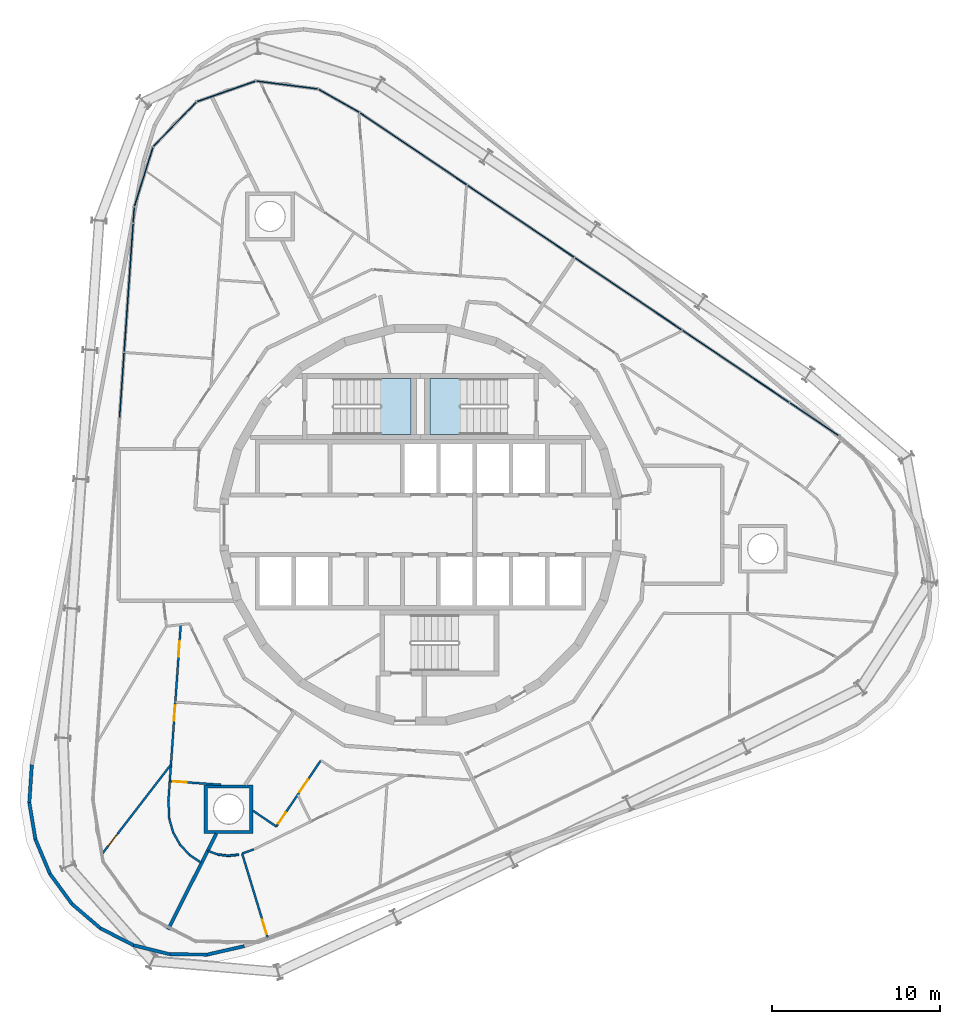
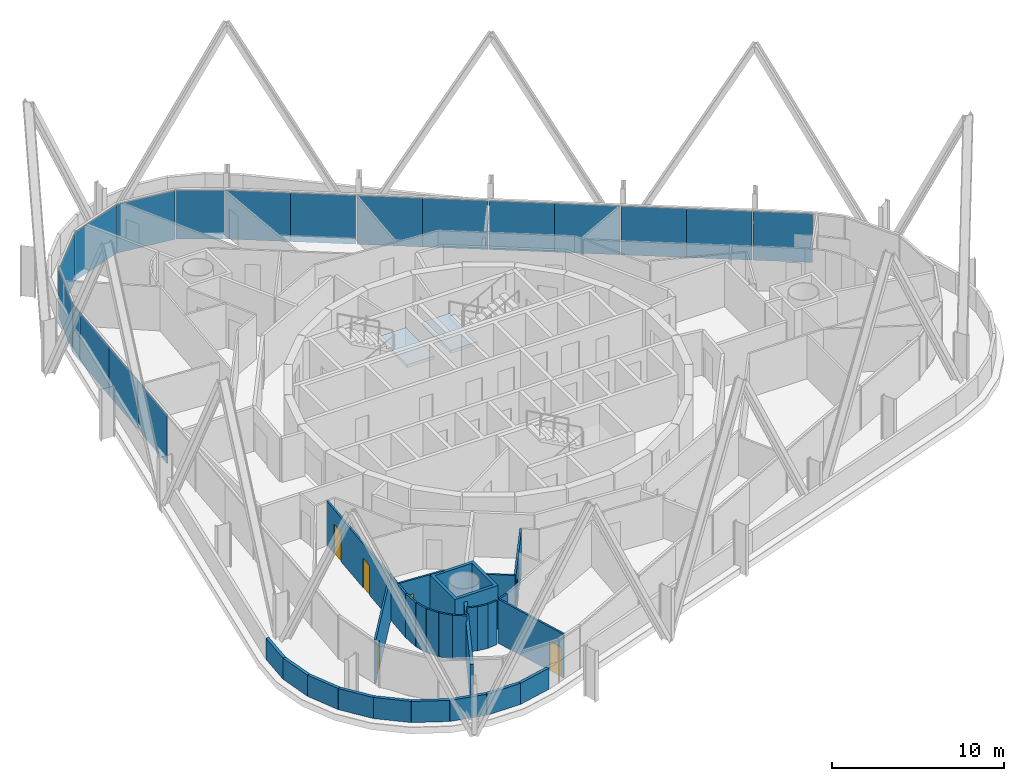
# One storey, part 11 of 18: 26 walls, 18 plates, 7 doors, 2 slabs, 7 openings, 6 elements without a shape of their own.
"""IFC4 building model written with IfcOpenShell, lengths in metres."""

from ifc_helpers import new_model, si_unit, direction, frame, frame_2d, origin, origin_2d, place, context, subcontext, project, spatial, polyline, rectangle, outline, extrude, material, layer, layer_set, type_object, element, fill, aggregate, save


model = new_model("IFC4")

# Units and contexts
model_context = context("Model", 3, precision=1e-05, world=origin(), true_north=direction((0.0, 1.0)))
body_context = subcontext(model_context, "Body", "Model", "MODEL_VIEW")
ifc_project = project(units=[si_unit("LENGTHUNIT", "METRE"), si_unit("AREAUNIT", "SQUARE_METRE"), si_unit("VOLUMEUNIT", "CUBIC_METRE"), si_unit("PLANEANGLEUNIT", "RADIAN"), si_unit("MASSUNIT", "GRAM", prefix="KILO")], contexts=[model_context])

# Site, building, storey
site_placement = place(None, origin())
site = spatial("IfcSite", under=ifc_project, at=site_placement, CompositionType="ELEMENT")
building_placement = place(site_placement, origin())
building = spatial("IfcBuilding", under=site, at=building_placement, Name="Spindle Arch Residences", CompositionType="ELEMENT")
storey_placement = place(building_placement, frame((0.0, 0.0, 188.39990234375)))
storey = spatial("IfcBuildingStorey", under=building, at=storey_placement, Name="L47", CompositionType="ELEMENT", Elevation=188.39990234375)

# Stair, slab
ifc_material_1 = material(Name="Concrete C50/60", Category="concrete")
stair_type = type_object("IfcStairType", Name="Exit stair 16 risers", PredefinedType="HALF_TURN_STAIR", material=ifc_material_1)
stair_1_placement = place(storey_placement, origin())
stair_1 = element("IfcStair", 1, at=stair_1_placement, inside=storey, type_object=stair_type, Name="L47 Exit stair ST1", PredefinedType="HALF_TURN_STAIR")
ifc_material_2 = material(Name="Concrete C50/60", Category="concrete")
ifc_layer_1 = layer(ifc_material_2, 0.219970703125)
ifc_layer_set_1 = layer_set([ifc_layer_1], Name="Exit stair landing 220")
slab_type = type_object("IfcSlabType", Name="Exit stair landing 220", PredefinedType="LANDING", material=ifc_layer_set_1)
slab_1_placement = place(storey_placement, frame((0.0, 0.0, 1.530029296875)))
slab_1 = element("IfcSlab", 2, at=slab_1_placement, type_object=slab_type, Name="ST1 landing 1", PredefinedType="LANDING", context=body_context, shape_type="SweptSolid", body=[
    extrude(outline(polyline([(2.3701171875, 8.669921875), (0.550048828125, 8.669921875), (0.550048828125, 5.35009765625), (2.3701171875, 5.35009765625), (2.3701171875, 8.669921875)])), origin(), (0.0, 0.0, 1.0), 0.219970703125),
])
aggregate(stair_1, [slab_1])

stair_2_placement = place(storey_placement, origin())
stair_2 = element("IfcStair", 3, at=stair_2_placement, inside=storey, type_object=stair_type, Name="L47 Exit stair ST2", PredefinedType="HALF_TURN_STAIR")
slab_2_placement = place(storey_placement, frame((0.0, 0.0, 1.530029296875)))
slab_2 = element("IfcSlab", 4, at=slab_2_placement, type_object=slab_type, Name="ST2 landing 1", PredefinedType="LANDING", context=body_context, shape_type="SweptSolid", body=[
    extrude(outline(polyline([(-2.3701171875, 5.35009765625), (-0.550048828125, 5.35009765625), (-0.550048828125, 8.669921875), (-2.3701171875, 8.669921875), (-2.3701171875, 5.35009765625)])), origin(), (0.0, 0.0, 1.0), 0.219970703125),
])
aggregate(stair_2, [slab_2])

# Curtain wall, plate
ifc_material_3 = material(Name="Aluminium bronze unitised frame with tinted glass", Category="aluminium")
ifc_layer_2 = layer(ifc_material_3, 0.159912109375)
ifc_layer_set_2 = layer_set([ifc_layer_2], Name="CW-D corner wall on the fillet arcs")
curtain_wall_type_1 = type_object("IfcCurtainWallType", Name="CW-D corner wall on the fillet arcs", PredefinedType="NOTDEFINED", material=ifc_layer_set_2)
curtain_wall_1_placement = place(storey_placement, origin())
curtain_wall_1 = element("IfcCurtainWall", 5, at=curtain_wall_1_placement, inside=storey, type_object=curtain_wall_type_1, Name="CW-D L47 run 1", PredefinedType="NOTDEFINED")
ifc_material_4 = material(Name="Tinted double glazing over aluminium faced non-combustible spandrel zone (K0)", Category="aluminium")
ifc_layer_3 = layer(ifc_material_4, 0.06005859375)
ifc_layer_set_3 = layer_set([ifc_layer_3], Name="Unitised glass panel with E 60 spandrel zone")
plate_type = type_object("IfcPlateType", Name="Unitised glass panel with E 60 spandrel zone", PredefinedType="CURTAIN_PANEL", material=ifc_layer_set_3)
plate_1_placement = place(storey_placement, frame((23.36767578125, 6.264892578125, -0.44970703125), z_axis=(0.0, 0.0, 1.0), x_axis=(-0.829037572555, 0.559192903471, 0.0)))
plate_1 = element("IfcPlate", 6, at=plate_1_placement, type_object=plate_type, Name="CW-D unit 06", PredefinedType="CURTAIN_PANEL", context=body_context, shape_type="SweptSolid", body=[
    extrude(rectangle(XDim=3.468505859375, YDim=0.06005859375, at=origin_2d()), origin(), (0.0, 0.0, 1.0), 3.449951171875),
])
aggregate(curtain_wall_1, [plate_1])

# Curtain wall, plates
ifc_material_5 = material(Name="Aluminium bronze unitised frame with tinted glass", Category="aluminium")
ifc_layer_4 = layer(ifc_material_5, 0.159912109375)
ifc_layer_set_4 = layer_set([ifc_layer_4], Name="CW-C typical residential unitised wall")
curtain_wall_type_2 = type_object("IfcCurtainWallType", Name="CW-C typical residential unitised wall", PredefinedType="NOTDEFINED", material=ifc_layer_set_4)
curtain_wall_2_placement = place(storey_placement, origin())
curtain_wall_2 = element("IfcCurtainWall", 7, at=curtain_wall_2_placement, inside=storey, type_object=curtain_wall_type_2, Name="CW-C L47 run 2", PredefinedType="NOTDEFINED")
plate_2_placement = place(storey_placement, frame((20.2978515625, 8.335205078125, -0.44970703125), z_axis=(0.0, 0.0, 1.0), x_axis=(-0.829037572555, 0.559192903471, 0.0)))
plate_2 = element("IfcPlate", 8, at=plate_2_placement, type_object=plate_type, Name="CW-C unit 05A", PredefinedType="CURTAIN_PANEL", context=body_context, shape_type="SweptSolid", body=[
    extrude(rectangle(XDim=3.81689453125, YDim=0.06005859375, at=origin_2d()), origin(), (0.0, 0.0, 1.0), 3.449951171875),
])
plate_3_placement = place(storey_placement, frame((17.133544921875, 10.4697265625, -0.44970703125), z_axis=(0.0, 0.0, 1.0), x_axis=(-0.829037572555, 0.559192903471, 0.0)))
plate_3 = element("IfcPlate", 9, at=plate_3_placement, type_object=plate_type, Name="CW-C unit 05B", PredefinedType="CURTAIN_PANEL", context=body_context, shape_type="SweptSolid", body=[
    extrude(rectangle(XDim=3.81689453125, YDim=0.06005859375, at=origin_2d()), origin(), (0.0, 0.0, 1.0), 3.449951171875),
])
plate_4_placement = place(storey_placement, frame((13.919677734375, 12.6376953125, -0.44970703125), z_axis=(0.0, 0.0, 1.0), x_axis=(-0.829037572555, 0.559192903471, 0.0)))
plate_4 = element("IfcPlate", 10, at=plate_4_placement, type_object=plate_type, Name="CW-C unit 06A", PredefinedType="CURTAIN_PANEL", context=body_context, shape_type="SweptSolid", body=[
    extrude(rectangle(XDim=3.81689453125, YDim=0.06005859375, at=origin_2d()), origin(), (0.0, 0.0, 1.0), 3.449951171875),
])
plate_5_placement = place(storey_placement, frame((10.75537109375, 14.77197265625, -0.44970703125), z_axis=(0.0, 0.0, 1.0), x_axis=(-0.829037572555, 0.559192903471, 0.0)))
plate_5 = element("IfcPlate", 11, at=plate_5_placement, type_object=plate_type, Name="CW-C unit 06B", PredefinedType="CURTAIN_PANEL", context=body_context, shape_type="SweptSolid", body=[
    extrude(rectangle(XDim=3.81689453125, YDim=0.06005859375, at=origin_2d()), origin(), (0.0, 0.0, 1.0), 3.449951171875),
])
plate_6_placement = place(storey_placement, frame((7.541259765625, 16.93994140625, -0.44970703125), z_axis=(0.0, 0.0, 1.0), x_axis=(-0.829037572555, 0.559192903471, 0.0)))
plate_6 = element("IfcPlate", 12, at=plate_6_placement, type_object=plate_type, Name="CW-C unit 07A", PredefinedType="CURTAIN_PANEL", context=body_context, shape_type="SweptSolid", body=[
    extrude(rectangle(XDim=3.81689453125, YDim=0.06005859375, at=origin_2d()), origin(), (0.0, 0.0, 1.0), 3.449951171875),
])
plate_7_placement = place(storey_placement, frame((4.376953125, 19.07421875, -0.44970703125), z_axis=(0.0, 0.0, 1.0), x_axis=(-0.829037572555, 0.559192903471, 0.0)))
plate_7 = element("IfcPlate", 13, at=plate_7_placement, type_object=plate_type, Name="CW-C unit 07B", PredefinedType="CURTAIN_PANEL", context=body_context, shape_type="SweptSolid", body=[
    extrude(rectangle(XDim=3.81689453125, YDim=0.06005859375, at=origin_2d()), origin(), (0.0, 0.0, 1.0), 3.449951171875),
])
plate_8_placement = place(storey_placement, frame((1.162841796875, 21.2421875, -0.44970703125), z_axis=(0.0, 0.0, 1.0), x_axis=(-0.829037572555, 0.559192903471, 0.0)))
plate_8 = element("IfcPlate", 14, at=plate_8_placement, type_object=plate_type, Name="CW-C unit 08A", PredefinedType="CURTAIN_PANEL", context=body_context, shape_type="SweptSolid", body=[
    extrude(rectangle(XDim=3.81689453125, YDim=0.06005859375, at=origin_2d()), origin(), (0.0, 0.0, 1.0), 3.449951171875),
])
plate_9_placement = place(storey_placement, frame((-2.00146484375, 23.37646484375, -0.44970703125), z_axis=(0.0, 0.0, 1.0), x_axis=(-0.829037572555, 0.559192903471, 0.0)))
plate_9 = element("IfcPlate", 15, at=plate_9_placement, type_object=plate_type, Name="CW-C unit 08B", PredefinedType="CURTAIN_PANEL", context=body_context, shape_type="SweptSolid", body=[
    extrude(rectangle(XDim=3.81689453125, YDim=0.06005859375, at=origin_2d()), origin(), (0.0, 0.0, 1.0), 3.449951171875),
])
aggregate(curtain_wall_2, [plate_2, plate_3, plate_4, plate_5, plate_6, plate_7, plate_8, plate_9])

curtain_wall_3_placement = place(storey_placement, origin())
curtain_wall_3 = element("IfcCurtainWall", 16, at=curtain_wall_3_placement, inside=storey, type_object=curtain_wall_type_1, Name="CW-D L47 run 3", PredefinedType="NOTDEFINED")
plate_10_placement = place(storey_placement, frame((-4.84130859375, 25.16064453125, -0.44970703125), z_axis=(0.0, 0.0, 1.0), x_axis=(-0.86953871595, 0.493864780547, 0.0)))
plate_10 = element("IfcPlate", 17, at=plate_10_placement, type_object=plate_type, Name="CW-D unit 00", PredefinedType="CURTAIN_PANEL", context=body_context, shape_type="SweptSolid", body=[
    extrude(rectangle(XDim=2.775634765625, YDim=0.06005859375, at=origin_2d()), origin(), (0.0, 0.0, 1.0), 3.449951171875),
])
plate_11_placement = place(storey_placement, frame((-7.92236328125, 26.0986328125, -0.44970703125), z_axis=(0.0, 0.0, 1.0), x_axis=(-0.991820351023, 0.127641651888, 0.0)))
plate_11 = element("IfcPlate", 18, at=plate_11_placement, type_object=plate_type, Name="CW-D unit 01", PredefinedType="CURTAIN_PANEL", context=body_context, shape_type="SweptSolid", body=[
    extrude(rectangle(XDim=3.666748046875, YDim=0.06005859375, at=origin_2d()), origin(), (0.0, 0.0, 1.0), 3.449951171875),
])
plate_12_placement = place(storey_placement, frame((-11.52880859375, 25.7197265625, -0.44970703125), z_axis=(0.0, 0.0, 1.0), x_axis=(-0.943608508302, -0.331063412445, 0.0)))
plate_12 = element("IfcPlate", 19, at=plate_12_placement, type_object=plate_type, Name="CW-D unit 02", PredefinedType="CURTAIN_PANEL", context=body_context, shape_type="SweptSolid", body=[
    extrude(rectangle(XDim=3.666748046875, YDim=0.06005859375, at=origin_2d()), origin(), (0.0, 0.0, 1.0), 3.449951171875),
])
plate_13_placement = place(storey_placement, frame((-14.58154296875, 23.762451171875, -0.44970703125), z_axis=(0.0, 0.0, 1.0), x_axis=(-0.694658368802, -0.719339801939, 0.0)))
plate_13 = element("IfcPlate", 20, at=plate_13_placement, type_object=plate_type, Name="CW-D unit 03", PredefinedType="CURTAIN_PANEL", context=body_context, shape_type="SweptSolid", body=[
    extrude(rectangle(XDim=3.666748046875, YDim=0.06005859375, at=origin_2d()), origin(), (0.0, 0.0, 1.0), 3.449951171875),
])
plate_14_placement = place(storey_placement, frame((-16.43115234375, 20.643310546875, -0.44970703125), z_axis=(0.0, 0.0, 1.0), x_axis=(-0.297930275218, -0.954587634064, 0.0)))
plate_14 = element("IfcPlate", 21, at=plate_14_placement, type_object=plate_type, Name="CW-D unit 04", PredefinedType="CURTAIN_PANEL", context=body_context, shape_type="SweptSolid", body=[
    extrude(rectangle(XDim=3.666748046875, YDim=0.06005859375, at=origin_2d()), origin(), (0.0, 0.0, 1.0), 3.449951171875),
])
plate_15_placement = place(storey_placement, frame((-17.019775390625, 18.3837890625, -0.44970703125), z_axis=(0.0, 0.0, 1.0), x_axis=(-0.069756473744, -0.99756405026, 0.0)))
plate_15 = element("IfcPlate", 22, at=plate_15_placement, type_object=plate_type, Name="CW-D unit 05", PredefinedType="CURTAIN_PANEL", context=body_context, shape_type="SweptSolid", body=[
    extrude(rectangle(XDim=0.90380859375, YDim=0.06005859375, at=origin_2d()), origin(), (0.0, 0.0, 1.0), 3.449951171875),
])
aggregate(curtain_wall_3, [plate_10, plate_11, plate_12, plate_13, plate_14, plate_15])

curtain_wall_4_placement = place(storey_placement, origin())
curtain_wall_4 = element("IfcCurtainWall", 23, at=curtain_wall_4_placement, inside=storey, type_object=curtain_wall_type_2, Name="CW-C L47 run 4", PredefinedType="NOTDEFINED")
plate_16_placement = place(storey_placement, frame((-17.188720703125, 15.96923828125, -0.44970703125), z_axis=(0.0, 0.0, 1.0), x_axis=(-0.069756473744, -0.99756405026, 0.0)))
plate_16 = element("IfcPlate", 24, at=plate_16_placement, type_object=plate_type, Name="CW-C unit 12A", PredefinedType="CURTAIN_PANEL", context=body_context, shape_type="SweptSolid", body=[
    extrude(rectangle(XDim=3.81689453125, YDim=0.06005859375, at=origin_2d()), origin(), (0.0, 0.0, 1.0), 3.449951171875),
])
plate_17_placement = place(storey_placement, frame((-17.454833984375, 12.16162109375, -0.44970703125), z_axis=(0.0, 0.0, 1.0), x_axis=(-0.069756473744, -0.99756405026, 0.0)))
plate_17 = element("IfcPlate", 25, at=plate_17_placement, type_object=plate_type, Name="CW-C unit 12B", PredefinedType="CURTAIN_PANEL", context=body_context, shape_type="SweptSolid", body=[
    extrude(rectangle(XDim=3.81689453125, YDim=0.06005859375, at=origin_2d()), origin(), (0.0, 0.0, 1.0), 3.449951171875),
])
plate_18_placement = place(storey_placement, frame((-17.725341796875, 8.294189453125, -0.44970703125), z_axis=(0.0, 0.0, 1.0), x_axis=(-0.069756473744, -0.99756405026, 0.0)))
plate_18 = element("IfcPlate", 26, at=plate_18_placement, type_object=plate_type, Name="CW-C unit 13A", PredefinedType="CURTAIN_PANEL", context=body_context, shape_type="SweptSolid", body=[
    extrude(rectangle(XDim=3.81689453125, YDim=0.06005859375, at=origin_2d()), origin(), (0.0, 0.0, 1.0), 3.449951171875),
])
aggregate(curtain_wall_4, [plate_16, plate_17, plate_18])

# Wall, openings, doors
ifc_material_6 = material(Name="Plasterboard on steel studs", Category="steel")
ifc_layer_5 = layer(ifc_material_6, 0.1201171875)
ifc_layer_set_5 = layer_set([ifc_layer_5], Name="Flat partition 120")
wall_type_1 = type_object("IfcWallType", Name="Flat partition 120", PredefinedType="PARTITIONING", material=ifc_layer_set_5)
wall_1_placement = place(storey_placement, frame((-14.22900390625, -5.9287109375, 0.0), z_axis=(0.0, 0.0, 1.0), x_axis=(-0.069740723375, -0.997565151508, 0.0)))
wall_1 = element("IfcWall", 27, at=wall_1_placement, inside=storey, type_object=wall_type_1, Name="Flat partition R5A0-W077", PredefinedType="PARTITIONING", context=body_context, shape_type="SweptSolid", body=[
    extrude(rectangle(XDim=10.470458984375, YDim=0.1201171875, at=frame_2d((5.2353515625, 0.0))), origin(), (0.0, 0.0, 1.0), 3.1201171875),
])
opening_1_placement = place(wall_1_placement, frame((4.809326171875, 0.0, 0.0)))
opening_1 = element("IfcOpeningElement", 28, at=opening_1_placement, cuts=wall_1, Name="Opening R5A0-ID17", PredefinedType="OPENING", context=body_context, shape_type="SweptSolid", body=[
    extrude(rectangle(XDim=0.89990234375, YDim=2.10009765625, at=frame_2d((0.449951171875, 1.050048828125))), frame((0.0, 0.070068359375, 0.0), z_axis=(0.0, -1.0, 0.0), x_axis=(1.0, 0.0, 0.0)), (0.0, 0.0, 1.0), 0.14013671875),
])
opening_2_placement = place(wall_1_placement, frame((1.0, 0.0, 0.0)))
opening_2 = element("IfcOpeningElement", 29, at=opening_2_placement, cuts=wall_1, Name="Opening R5A0-ID19", PredefinedType="OPENING", context=body_context, shape_type="SweptSolid", body=[
    extrude(rectangle(XDim=0.89990234375, YDim=2.10009765625, at=frame_2d((0.449951171875, 1.050048828125))), frame((0.0, 0.070068359375, 0.0), z_axis=(0.0, -1.0, 0.0), x_axis=(1.0, 0.0, 0.0)), (0.0, 0.0, 1.0), 0.14013671875),
])
ifc_material_7 = material(Name="Timber door set", Category="wood")
door_type_1 = type_object("IfcDoorType", Name="Room door 900x2100", OperationType="NOTDEFINED", PredefinedType="DOOR", material=ifc_material_7)
door_1_placement = place(opening_1_placement, origin())
door_1 = element("IfcDoor", 30, at=door_1_placement, inside=storey, type_object=door_type_1, Name="Room door R5A0-ID17", OperationType="SINGLE_SWING_RIGHT", OverallHeight=2.10009765625, OverallWidth=0.89990234375, PredefinedType="DOOR", context=body_context, shape_type="SweptSolid", body=[
    extrude(rectangle(XDim=0.89990234375, YDim=2.10009765625, at=frame_2d((0.449951171875, 1.050048828125))), frame((0.0, 0.02490234375, 0.0), z_axis=(0.0, -1.0, 0.0), x_axis=(1.0, 0.0, 0.0)), (0.0, 0.0, 1.0), 0.050048828125),
])
fill(opening_1, door_1)
door_2_placement = place(opening_2_placement, origin())
door_2 = element("IfcDoor", 31, at=door_2_placement, inside=storey, type_object=door_type_1, Name="Room door R5A0-ID19", OperationType="SINGLE_SWING_LEFT", OverallHeight=2.10009765625, OverallWidth=0.89990234375, PredefinedType="DOOR", context=body_context, shape_type="SweptSolid", body=[
    extrude(rectangle(XDim=0.89990234375, YDim=2.10009765625, at=frame_2d((0.449951171875, 1.050048828125))), frame((0.0, 0.02490234375, 0.0), z_axis=(0.0, -1.0, 0.0), x_axis=(1.0, 0.0, 0.0)), (0.0, 0.0, 1.0), 0.050048828125),
])
fill(opening_2, door_2)

# Wall, opening, door
wall_2_placement = place(storey_placement, frame((-18.892333984375, -19.530517578125, 0.0), z_axis=(0.0, 0.0, 1.0), x_axis=(0.610326128317, 0.792150249065, 0.0)))
wall_2 = element("IfcWall", 32, at=wall_2_placement, inside=storey, type_object=wall_type_1, Name="Flat partition R5A0-W079", PredefinedType="PARTITIONING", context=body_context, shape_type="SweptSolid", body=[
    extrude(rectangle(XDim=6.689453125, YDim=0.1201171875, at=frame_2d((3.3447265625, 0.0))), origin(), (0.0, 0.0, 1.0), 3.1201171875),
])
opening_3_placement = place(wall_2_placement, frame((0.60009765625, 0.0, 0.0)))
opening_3 = element("IfcOpeningElement", 33, at=opening_3_placement, cuts=wall_2, Name="Opening R5A0-ID18", PredefinedType="OPENING", context=body_context, shape_type="SweptSolid", body=[
    extrude(rectangle(XDim=0.89990234375, YDim=2.10009765625, at=frame_2d((0.449951171875, 1.050048828125))), frame((0.0, 0.070068359375, 0.0), z_axis=(0.0, -1.0, 0.0), x_axis=(1.0, 0.0, 0.0)), (0.0, 0.0, 1.0), 0.14013671875),
])
door_3_placement = place(opening_3_placement, origin())
door_3 = element("IfcDoor", 34, at=door_3_placement, inside=storey, type_object=door_type_1, Name="Room door R5A0-ID18", OperationType="SINGLE_SWING_RIGHT", OverallHeight=2.10009765625, OverallWidth=0.89990234375, PredefinedType="DOOR", context=body_context, shape_type="SweptSolid", body=[
    extrude(rectangle(XDim=0.89990234375, YDim=2.10009765625, at=frame_2d((0.449951171875, 1.050048828125))), frame((0.0, 0.02490234375, 0.0), z_axis=(0.0, -1.0, 0.0), x_axis=(1.0, 0.0, 0.0)), (0.0, 0.0, 1.0), 0.050048828125),
])
fill(opening_3, door_3)

wall_3_placement = place(storey_placement, frame((-14.878662109375, -15.218505859375, 0.0), z_axis=(0.0, 0.0, 1.0), x_axis=(0.997566012813, -0.069728402248, 0.0)))
wall_3 = element("IfcWall", 35, at=wall_3_placement, inside=storey, type_object=wall_type_1, Name="Flat partition R5A0-W080", PredefinedType="PARTITIONING", context=body_context, shape_type="SweptSolid", body=[
    extrude(rectangle(XDim=3.0390625, YDim=0.1201171875, at=frame_2d((1.51953125, 0.0))), origin(), (0.0, 0.0, 1.0), 3.1201171875),
])
opening_4_placement = place(wall_3_placement, frame((0.199951171875, 0.0, 0.0)))
opening_4 = element("IfcOpeningElement", 36, at=opening_4_placement, cuts=wall_3, Name="Opening R5A0-BD04", PredefinedType="OPENING", context=body_context, shape_type="SweptSolid", body=[
    extrude(rectangle(XDim=0.800048828125, YDim=2.10009765625, at=frame_2d((0.39990234375, 1.050048828125))), frame((0.0, 0.070068359375, 0.0), z_axis=(0.0, -1.0, 0.0), x_axis=(1.0, 0.0, 0.0)), (0.0, 0.0, 1.0), 0.14013671875),
])
ifc_material_8 = material(Name="Timber door set", Category="wood")
door_type_2 = type_object("IfcDoorType", Name="Bathroom door 800x2100", OperationType="NOTDEFINED", PredefinedType="DOOR", material=ifc_material_8)
door_4_placement = place(opening_4_placement, origin())
door_4 = element("IfcDoor", 37, at=door_4_placement, inside=storey, type_object=door_type_2, Name="Bathroom door R5A0-BD04", OperationType="SINGLE_SWING_RIGHT", OverallHeight=2.10009765625, OverallWidth=0.800048828125, PredefinedType="DOOR", context=body_context, shape_type="SweptSolid", body=[
    extrude(rectangle(XDim=0.800048828125, YDim=2.10009765625, at=frame_2d((0.39990234375, 1.050048828125))), frame((0.0, 0.02490234375, 0.0), z_axis=(0.0, -1.0, 0.0), x_axis=(1.0, 0.0, 0.0)), (0.0, 0.0, 1.0), 0.050048828125),
])
fill(opening_4, door_4)

# Walls
for number, where, z_axis, x_axis, name in (
    (38, (-13.025390625, -20.052001953125, 0.0), (0.0, 0.0, 1.0), (-0.828910137223, 0.559381787699, 0.0), "Flat partition R5A0-W081"),
    (39, (-13.71240234375, -19.58837890625, 0.0), (0.0, 0.0, 1.0), (-0.677802814739, 0.735243731243, 0.0), "Flat partition R5A0-W082"),
):
    element("IfcWall", number, at=place(storey_placement, frame(where, z_axis=z_axis, x_axis=x_axis)), inside=storey, type_object=wall_type_1, Name=name, PredefinedType="PARTITIONING", context=body_context, shape_type="SweptSolid", body=[
        extrude(rectangle(XDim=0.828857421875, YDim=0.1201171875, at=frame_2d((0.41455078125, 0.0))), origin(), (0.0, 0.0, 1.0), 3.1201171875),
    ])
wall_4_placement = place(storey_placement, frame((-14.274169921875, -18.97900390625, 0.0), z_axis=(0.0, 0.0, 1.0), x_axis=(-0.490037513137, 0.871701345484, 0.0)))
element("IfcWall", 40, at=wall_4_placement, inside=storey, type_object=wall_type_1, Name="Flat partition R5A0-W083", PredefinedType="PARTITIONING", context=body_context, shape_type="SweptSolid", body=[
    extrude(rectangle(XDim=0.8291015625, YDim=0.1201171875, at=frame_2d((0.41455078125, 0.0))), origin(), (0.0, 0.0, 1.0), 3.1201171875),
])
wall_5_placement = place(storey_placement, frame((-14.680419921875, -18.25634765625, 0.0), z_axis=(0.0, 0.0, 1.0), x_axis=(-0.275382358468, 0.961334778651, 0.0)))
element("IfcWall", 41, at=wall_5_placement, inside=storey, type_object=wall_type_1, Name="Flat partition R5A0-W084", PredefinedType="PARTITIONING", context=body_context, shape_type="SweptSolid", body=[
    extrude(rectangle(XDim=0.828857421875, YDim=0.1201171875, at=frame_2d((0.41455078125, 0.0))), origin(), (0.0, 0.0, 1.0), 3.1201171875),
])
wall_6_placement = place(storey_placement, frame((-14.90869140625, -17.45947265625, 0.0), z_axis=(0.0, 0.0, 1.0), x_axis=(-0.046497887649, 0.99891838828, 0.0)))
element("IfcWall", 42, at=wall_6_placement, inside=storey, type_object=wall_type_1, Name="Flat partition R5A0-W085", PredefinedType="PARTITIONING", context=body_context, shape_type="SweptSolid", body=[
    extrude(rectangle(XDim=1.0869140625, YDim=0.1201171875, at=frame_2d((0.54345703125, 0.0))), origin(), (0.0, 0.0, 1.0), 3.1201171875),
])
wall_7_placement = place(storey_placement, frame((-9.93603515625, -16.976318359375, 0.0), z_axis=(0.0, 0.0, 1.0), x_axis=(0.829057888835, -0.559162782167, 0.0)))
element("IfcWall", 43, at=wall_7_placement, inside=storey, type_object=wall_type_1, Name="Flat partition R5A0-W086", PredefinedType="PARTITIONING", context=body_context, shape_type="SweptSolid", body=[
    extrude(rectangle(XDim=1.66357421875, YDim=0.1201171875, at=frame_2d((0.831787109375, 0.0))), origin(), (0.0, 0.0, 1.0), 3.1201171875),
])

# Wall, openings, doors
wall_8_placement = place(storey_placement, frame((-8.556884765625, -17.906494140625, 0.0), z_axis=(0.0, 0.0, 1.0), x_axis=(0.559194471553, 0.829036514868, 0.0)))
wall_8 = element("IfcWall", 44, at=wall_8_placement, inside=storey, type_object=wall_type_1, Name="Flat partition R5A0-W087", PredefinedType="PARTITIONING", context=body_context, shape_type="SweptSolid", body=[
    extrude(rectangle(XDim=4.72998046875, YDim=0.1201171875, at=frame_2d((2.364990234375, 0.0))), origin(), (0.0, 0.0, 1.0), 3.1201171875),
])
opening_5_placement = place(wall_8_placement, frame((0.199951171875, 0.0, 0.0)))
opening_5 = element("IfcOpeningElement", 45, at=opening_5_placement, cuts=wall_8, Name="Opening R5A0-BD05", PredefinedType="OPENING", context=body_context, shape_type="SweptSolid", body=[
    extrude(rectangle(XDim=0.800048828125, YDim=2.10009765625, at=frame_2d((0.39990234375, 1.050048828125))), frame((0.0, 0.070068359375, 0.0), z_axis=(0.0, -1.0, 0.0), x_axis=(1.0, 0.0, 0.0)), (0.0, 0.0, 1.0), 0.14013671875),
])
opening_6_placement = place(wall_8_placement, frame((2.47119140625, 0.0, 0.0)))
opening_6 = element("IfcOpeningElement", 46, at=opening_6_placement, cuts=wall_8, Name="Opening R5A0-ID20", PredefinedType="OPENING", context=body_context, shape_type="SweptSolid", body=[
    extrude(rectangle(XDim=0.89990234375, YDim=2.10009765625, at=frame_2d((0.449951171875, 1.050048828125))), frame((0.0, 0.070068359375, 0.0), z_axis=(0.0, -1.0, 0.0), x_axis=(1.0, 0.0, 0.0)), (0.0, 0.0, 1.0), 0.14013671875),
])
door_5_placement = place(opening_5_placement, origin())
door_5 = element("IfcDoor", 47, at=door_5_placement, inside=storey, type_object=door_type_2, Name="Bathroom door R5A0-BD05", OperationType="SINGLE_SWING_LEFT", OverallHeight=2.10009765625, OverallWidth=0.800048828125, PredefinedType="DOOR", context=body_context, shape_type="SweptSolid", body=[
    extrude(rectangle(XDim=0.800048828125, YDim=2.10009765625, at=frame_2d((0.39990234375, 1.050048828125))), frame((0.0, 0.02490234375, 0.0), z_axis=(0.0, -1.0, 0.0), x_axis=(1.0, 0.0, 0.0)), (0.0, 0.0, 1.0), 0.050048828125),
])
fill(opening_5, door_5)
door_6_placement = place(opening_6_placement, origin())
door_6 = element("IfcDoor", 48, at=door_6_placement, inside=storey, type_object=door_type_1, Name="Room door R5A0-ID20", OperationType="SINGLE_SWING_LEFT", OverallHeight=2.10009765625, OverallWidth=0.89990234375, PredefinedType="DOOR", context=body_context, shape_type="SweptSolid", body=[
    extrude(rectangle(XDim=0.89990234375, YDim=2.10009765625, at=frame_2d((0.449951171875, 1.050048828125))), frame((0.0, 0.02490234375, 0.0), z_axis=(0.0, -1.0, 0.0), x_axis=(1.0, 0.0, 0.0)), (0.0, 0.0, 1.0), 0.050048828125),
])
fill(opening_6, door_6)

# Walls
wall_9_placement = place(storey_placement, frame((-10.77978515625, -19.577880859375, 0.0), z_axis=(0.0, 0.0, 1.0), x_axis=(-0.994515867502, -0.104585798686, 0.0)))
element("IfcWall", 49, at=wall_9_placement, inside=storey, type_object=wall_type_1, Name="Flat partition R5A0-W090", PredefinedType="PARTITIONING", context=body_context, shape_type="SweptSolid", body=[
    extrude(rectangle(XDim=0.641845703125, YDim=0.1201171875, at=frame_2d((0.32080078125, 0.0))), origin(), (0.0, 0.0, 1.0), 3.1201171875),
])
wall_10_placement = place(storey_placement, frame((-11.418212890625, -19.64501953125, 0.0), z_axis=(0.0, 0.0, 1.0), x_axis=(-0.991802759529, 0.127778269633, 0.0)))
element("IfcWall", 50, at=wall_10_placement, inside=storey, type_object=wall_type_1, Name="Flat partition R5A0-W091", PredefinedType="PARTITIONING", context=body_context, shape_type="SweptSolid", body=[
    extrude(rectangle(XDim=0.64208984375, YDim=0.1201171875, at=frame_2d((0.321044921875, 0.0))), origin(), (0.0, 0.0, 1.0), 3.1201171875),
])
wall_11_placement = place(storey_placement, frame((-12.054931640625, -19.56298828125, 0.0), z_axis=(0.0, 0.0, 1.0), x_axis=(-0.935507243946, 0.353307509862, 0.0)))
element("IfcWall", 51, at=wall_11_placement, inside=storey, type_object=wall_type_1, Name="Flat partition R5A0-W092", PredefinedType="PARTITIONING", context=body_context, shape_type="SweptSolid", body=[
    extrude(rectangle(XDim=0.6123046875, YDim=0.1201171875, at=frame_2d((0.30615234375, 0.0))), origin(), (0.0, 0.0, 1.0), 3.1201171875),
])

# Wall, opening, door
wall_12_placement = place(storey_placement, frame((-9.071533203125, -24.4892578125, 0.0), z_axis=(0.0, 0.0, 1.0), x_axis=(-0.291025348593, 0.956715342449, 0.0)))
wall_12 = element("IfcWall", 52, at=wall_12_placement, inside=storey, type_object=wall_type_1, Name="Flat partition R5A0-W093", PredefinedType="PARTITIONING", context=body_context, shape_type="SweptSolid", body=[
    extrude(rectangle(XDim=5.20458984375, YDim=0.1201171875, at=frame_2d((2.602294921875, 0.0))), origin(), (0.0, 0.0, 1.0), 3.1201171875),
])
opening_7_placement = place(wall_12_placement, frame((0.199951171875, 0.0, 0.0)))
opening_7 = element("IfcOpeningElement", 53, at=opening_7_placement, cuts=wall_12, Name="Opening R5A0-ID23", PredefinedType="OPENING", context=body_context, shape_type="SweptSolid", body=[
    extrude(rectangle(XDim=0.89990234375, YDim=2.10009765625, at=frame_2d((0.449951171875, 1.050048828125))), frame((0.0, 0.070068359375, 0.0), z_axis=(0.0, -1.0, 0.0), x_axis=(1.0, 0.0, 0.0)), (0.0, 0.0, 1.0), 0.14013671875),
])
door_7_placement = place(opening_7_placement, origin())
door_7 = element("IfcDoor", 54, at=door_7_placement, inside=storey, type_object=door_type_1, Name="Room door R5A0-ID23", OperationType="SINGLE_SWING_LEFT", OverallHeight=2.10009765625, OverallWidth=0.89990234375, PredefinedType="DOOR", context=body_context, shape_type="SweptSolid", body=[
    extrude(rectangle(XDim=0.89990234375, YDim=2.10009765625, at=frame_2d((0.449951171875, 1.050048828125))), frame((0.0, 0.02490234375, 0.0), z_axis=(0.0, -1.0, 0.0), x_axis=(1.0, 0.0, 0.0)), (0.0, 0.0, 1.0), 0.050048828125),
])
fill(opening_7, door_7)

# Walls
wall_13_placement = place(storey_placement, frame((-10.586181640625, -19.510009765625, 0.0), z_axis=(0.0, 0.0, 1.0), x_axis=(0.943560277016, 0.3312008509, 0.0)))
element("IfcWall", 55, at=wall_13_placement, inside=storey, type_object=wall_type_1, Name="Flat partition R5A0-W095", PredefinedType="PARTITIONING", context=body_context, shape_type="SweptSolid", body=[
    extrude(rectangle(XDim=0.741455078125, YDim=0.1201171875, at=frame_2d((0.37060546875, 0.0))), origin(), (0.0, 0.0, 1.0), 3.1201171875),
])
ifc_material_9 = material(Name="Calcium silicate block, plastered")
ifc_layer_6 = layer(ifc_material_9, 0.199951171875)
ifc_layer_set_6 = layer_set([ifc_layer_6], Name="Flat party wall 200 under beam 2730")
wall_type_2 = type_object("IfcWallType", Name="Flat party wall 200 under beam 2730", PredefinedType="STANDARD", material=ifc_layer_set_6)
wall_14_placement = place(storey_placement, frame((-14.9794921875, -24.017333984375, 0.0), z_axis=(0.0, 0.0, 1.0), x_axis=(0.449711952388, 0.893173644864, 0.0)))
element("IfcWall", 56, at=wall_14_placement, inside=storey, type_object=wall_type_2, Name="Flat party wall R5A0-W034", PredefinedType="STANDARD", context=body_context, shape_type="SweptSolid", body=[
    extrude(rectangle(XDim=6.366943359375, YDim=0.199951171875, at=frame_2d((3.18359375, 0.0))), origin(), (0.0, 0.0, 1.0), 2.72998046875),
])
ifc_material_10 = material(Name="Calcium silicate block, plastered")
ifc_layer_7 = layer(ifc_material_10, 0.199951171875)
ifc_layer_set_7 = layer_set([ifc_layer_7], Name="Mega-column casing wall 200")
wall_type_3 = type_object("IfcWallType", Name="Mega-column casing wall 200", PredefinedType="STANDARD", material=ifc_layer_set_7)
wall_15_placement = place(storey_placement, origin())
element("IfcWall", 57, at=wall_15_placement, inside=storey, type_object=wall_type_3, Name="Mega-column casing wall R5A0-WC02", PredefinedType="STANDARD", context=body_context, shape_type="SweptSolid", body=[
    extrude(outline(polyline([(-9.93603515625, -15.430419921875), (-9.93603515625, -18.33056640625), (-12.8359375, -18.33056640625), (-12.8359375, -15.430419921875), (-9.93603515625, -15.430419921875)]), holes=[polyline([(-12.635986328125, -18.130615234375), (-10.135986328125, -18.130615234375), (-10.135986328125, -15.630615234375), (-12.635986328125, -15.630615234375), (-12.635986328125, -18.130615234375)])]), origin(), (0.0, 0.0, 1.0), 3.1201171875),
])
ifc_material_11 = material(Name="Concrete C40/50", Category="concrete")
ifc_layer_8 = layer(ifc_material_11, 0.199951171875)
ifc_layer_set_8 = layer_set([ifc_layer_8], Name="Roof parapet 1500")
wall_type_4 = type_object("IfcWallType", Name="Roof parapet 1500", PredefinedType="PARAPET", material=ifc_layer_set_8)
wall_16_placement = place(storey_placement, frame((-10.460205078125, -25.009521484375, 0.030029296875), z_axis=(0.0, 0.0, 1.0), x_axis=(-0.97501799573, -0.222125883233, 0.0)))
element("IfcWall", 58, at=wall_16_placement, inside=storey, type_object=wall_type_4, Name="Roof parapet L46 1.2", PredefinedType="PARAPET", context=body_context, shape_type="SweptSolid", body=[
    extrude(rectangle(XDim=2.257568359375, YDim=0.199951171875, at=frame_2d((1.12890625, 0.0))), origin(), (0.0, 0.0, 1.0), 1.5),
])
wall_17_placement = place(storey_placement, frame((-12.64990234375, -25.509765625, 0.030029296875), z_axis=(0.0, 0.0, 1.0), x_axis=(-0.999961579411, 0.008765825811, 0.0)))
element("IfcWall", 59, at=wall_17_placement, inside=storey, type_object=wall_type_4, Name="Roof parapet L46 1.3", PredefinedType="PARAPET", context=body_context, shape_type="SweptSolid", body=[
    extrude(rectangle(XDim=2.22802734375, YDim=0.199951171875, at=frame_2d((1.114013671875, 0.0))), origin(), (0.0, 0.0, 1.0), 1.5),
])
wall_18_placement = place(storey_placement, frame((-14.866455078125, -25.49169921875, 0.030029296875), z_axis=(0.0, 0.0, 1.0), x_axis=(-0.971000010304, 0.239079442844, 0.0)))
element("IfcWall", 60, at=wall_18_placement, inside=storey, type_object=wall_type_4, Name="Roof parapet L46 1.4", PredefinedType="PARAPET", context=body_context, shape_type="SweptSolid", body=[
    extrude(rectangle(XDim=2.228271484375, YDim=0.199951171875, at=frame_2d((1.1142578125, 0.0))), origin(), (0.0, 0.0, 1.0), 1.5),
])
wall_19_placement = place(storey_placement, frame((-17.019287109375, -24.962890625, 0.030029296875), z_axis=(0.0, 0.0, 1.0), x_axis=(-0.889733029007, 0.456481256015, 0.0)))
element("IfcWall", 61, at=wall_19_placement, inside=storey, type_object=wall_type_4, Name="Roof parapet L46 1.5", PredefinedType="PARAPET", context=body_context, shape_type="SweptSolid", body=[
    extrude(rectangle(XDim=2.22802734375, YDim=0.199951171875, at=frame_2d((1.114013671875, 0.0))), origin(), (0.0, 0.0, 1.0), 1.5),
])
for number, where, z_axis, x_axis, name in (
    (62, (-18.991943359375, -23.9521484375, 0.030029296875), (0.0, 0.0, 1.0), (-0.760369169172, 0.649491128941, 0.0), "Roof parapet L46 1.6"),
    (63, (-20.67822265625, -22.513427734375, 0.030029296875), (0.0, 0.0, 1.0), (-0.590208860255, 0.807250581466, 0.0), "Roof parapet L46 1.7"),
    (64, (-21.987548828125, -20.724853515625, 0.030029296875), (0.0, 0.0, 1.0), (-0.388066796122, 0.921631250418, 0.0), "Roof parapet L46 1.8"),
    (65, (-22.84912109375, -18.682373046875, 0.030029296875), (0.0, 0.0, 1.0), (-0.165003037804, 0.986293058637, 0.0), "Roof parapet L46 1.9"),
):
    element("IfcWall", number, at=place(storey_placement, frame(where, z_axis=z_axis, x_axis=x_axis)), inside=storey, type_object=wall_type_4, Name=name, PredefinedType="PARAPET", context=body_context, shape_type="SweptSolid", body=[
        extrude(rectangle(XDim=2.228271484375, YDim=0.199951171875, at=frame_2d((1.1142578125, 0.0))), origin(), (0.0, 0.0, 1.0), 1.5),
    ])
wall_20_placement = place(storey_placement, frame((-23.21630859375, -16.496337890625, 0.030029296875), z_axis=(0.0, 0.0, 1.0), x_axis=(0.066942497393, 0.997756835127, 0.0)))
element("IfcWall", 66, at=wall_20_placement, inside=storey, type_object=wall_type_4, Name="Roof parapet L46 1.10", PredefinedType="PARAPET", context=body_context, shape_type="SweptSolid", body=[
    extrude(rectangle(XDim=2.257568359375, YDim=0.199951171875, at=frame_2d((1.12890625, 0.0))), origin(), (0.0, 0.0, 1.0), 1.5),
])

save(model, "model.ifc")
